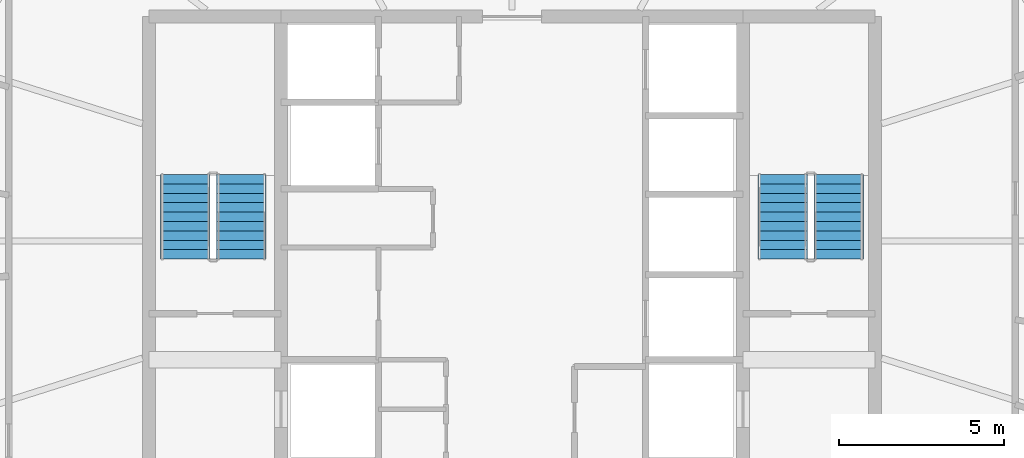
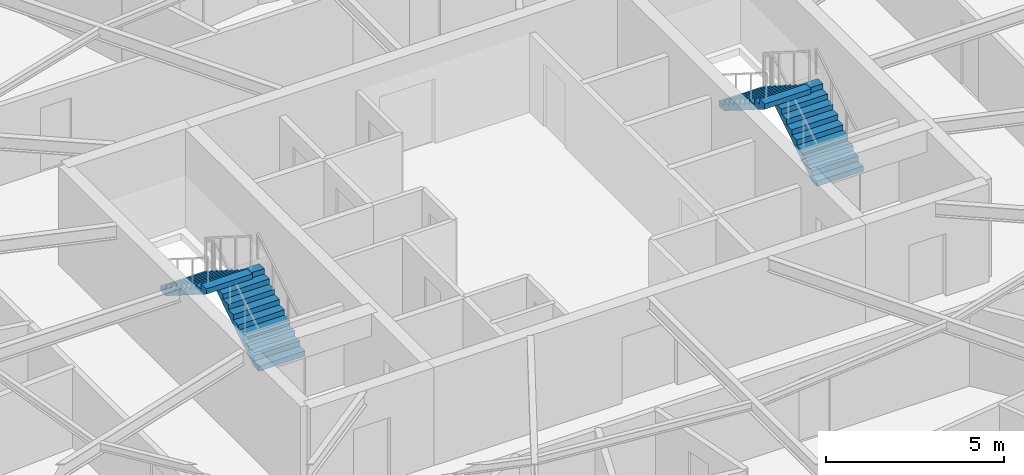
# One storey, part 20 of 23: 4 stair flights, 2 elements without a shape of their own.
"""IFC4 building model written with IfcOpenShell, lengths in metres."""

from ifc_helpers import new_model, si_unit, direction, frame, origin, place, context, subcontext, project, spatial, polyline, outline, extrude, material, type_object, element, aggregate, save


model = new_model("IFC4")

# Units and contexts
model_context = context("Model", 3, precision=1e-05, world=origin(), true_north=direction((0.0, 1.0)))
body_context = subcontext(model_context, "Body", "Model", "MODEL_VIEW")
ifc_project = project(units=[si_unit("LENGTHUNIT", "METRE"), si_unit("AREAUNIT", "SQUARE_METRE"), si_unit("VOLUMEUNIT", "CUBIC_METRE"), si_unit("PLANEANGLEUNIT", "RADIAN"), si_unit("MASSUNIT", "GRAM", prefix="KILO")], contexts=[model_context])

# Site, building, storey
site_placement = place(None, origin())
site = spatial("IfcSite", under=ifc_project, at=site_placement, CompositionType="ELEMENT")
building_placement = place(site_placement, origin())
building = spatial("IfcBuilding", under=site, at=building_placement, Name="Sarneth Arch Tower", CompositionType="ELEMENT")
storey_placement = place(building_placement, frame((0.0, 0.0, 220.800048828125)))
storey = spatial("IfcBuildingStorey", under=building, at=storey_placement, Name="L56", CompositionType="ELEMENT", Elevation=220.800048828125)

# Stair, stair flights
ifc_material_1 = material(Name="Concrete C50/60", Category="concrete")
stair_type = type_object("IfcStairType", Name="STAIR-CORE-RC", PredefinedType="HALF_TURN_STAIR", material=ifc_material_1)
stair_1_placement = place(storey_placement, origin())
stair_1 = element("IfcStair", 1, at=stair_1_placement, inside=storey, type_object=stair_type, Name="L56 Core Exit Stair 1", PredefinedType="HALF_TURN_STAIR")
ifc_material_2 = material(Name="Concrete C50/60", Category="concrete")
stair_flight_type = type_object("IfcStairFlightType", Name="FLIGHT-RC-1500", PredefinedType="STRAIGHT", material=ifc_material_2)
stair_flight_1_placement = place(storey_placement, frame((39.800048828125, 41.449951171875, 0.0), z_axis=(0.0, 0.0, 1.0), x_axis=(0.0, 1.0, 0.0)))
stair_flight_1 = element("IfcStairFlight", 2, at=stair_flight_1_placement, type_object=stair_flight_type, Name="ST-1 flight 1", NumberOfRisers=10, NumberOfTreads=9, PredefinedType="STRAIGHT", RiserHeight=0.18, TreadLength=0.285, context=body_context, shape_type="SweptSolid", body=[
    extrude(outline(polyline([(0.0, 0.0), (0.0, 0.179931640625), (0.284912109375, 0.179931640625), (0.284912109375, 0.360107421875), (0.570068359375, 0.360107421875), (0.570068359375, 0.5400390625), (0.85498046875, 0.5400390625), (0.85498046875, 0.719970703125), (1.139892578125, 0.719970703125), (1.139892578125, 0.89990234375), (1.425048828125, 0.89990234375), (1.425048828125, 1.080078125), (1.7099609375, 1.080078125), (1.7099609375, 1.260009765625), (1.9951171875, 1.260009765625), (1.9951171875, 1.43994140625), (2.280029296875, 1.43994140625), (2.280029296875, 1.6201171875), (2.56494140625, 1.6201171875), (2.56494140625, 1.800048828125), (2.56494140625, 1.442626953125), (0.28076171875, 0.0), (0.0, 0.0)])), frame((0.0, 0.75, 0.0), z_axis=(0.0, -1.0, 0.0), x_axis=(1.0, 0.0, 0.0)), (0.0, 0.0, 1.0), 1.5),
])
stair_flight_2_placement = place(storey_placement, frame((38.10009765625, 44.014892578125, 1.800048828125), z_axis=(0.0, 0.0, 1.0), x_axis=(0.0, -1.0, 0.0)))
stair_flight_2 = element("IfcStairFlight", 3, at=stair_flight_2_placement, type_object=stair_flight_type, Name="ST-1 flight 2", NumberOfRisers=10, NumberOfTreads=9, PredefinedType="STRAIGHT", RiserHeight=0.18, TreadLength=0.285, context=body_context, shape_type="SweptSolid", body=[
    extrude(outline(polyline([(0.0, 0.0), (0.0, 0.179931640625), (0.284912109375, 0.179931640625), (0.284912109375, 0.360107421875), (0.570068359375, 0.360107421875), (0.570068359375, 0.5400390625), (0.85498046875, 0.5400390625), (0.85498046875, 0.719970703125), (1.139892578125, 0.719970703125), (1.139892578125, 0.89990234375), (1.425048828125, 0.89990234375), (1.425048828125, 1.080078125), (1.7099609375, 1.080078125), (1.7099609375, 1.260009765625), (1.9951171875, 1.260009765625), (1.9951171875, 1.43994140625), (2.280029296875, 1.43994140625), (2.280029296875, 1.6201171875), (2.56494140625, 1.6201171875), (2.56494140625, 1.800048828125), (2.56494140625, 1.442626953125), (0.28076171875, 0.0), (0.0, 0.0)])), frame((0.0, 0.75, 0.0), z_axis=(0.0, -1.0, 0.0), x_axis=(1.0, 0.0, 0.0)), (0.0, 0.0, 1.0), 1.5),
])
aggregate(stair_1, [stair_flight_1, stair_flight_2])

stair_2_placement = place(storey_placement, origin())
stair_2 = element("IfcStair", 4, at=stair_2_placement, inside=storey, type_object=stair_type, Name="L56 Core Exit Stair 2", PredefinedType="HALF_TURN_STAIR")
stair_flight_3_placement = place(storey_placement, frame((57.89990234375, 41.449951171875, 0.0), z_axis=(0.0, 0.0, 1.0), x_axis=(0.0, 1.0, 0.0)))
stair_flight_3 = element("IfcStairFlight", 5, at=stair_flight_3_placement, type_object=stair_flight_type, Name="ST-2 flight 1", NumberOfRisers=10, NumberOfTreads=9, PredefinedType="STRAIGHT", RiserHeight=0.18, TreadLength=0.285, context=body_context, shape_type="SweptSolid", body=[
    extrude(outline(polyline([(0.0, 0.0), (0.0, 0.179931640625), (0.284912109375, 0.179931640625), (0.284912109375, 0.360107421875), (0.570068359375, 0.360107421875), (0.570068359375, 0.5400390625), (0.85498046875, 0.5400390625), (0.85498046875, 0.719970703125), (1.139892578125, 0.719970703125), (1.139892578125, 0.89990234375), (1.425048828125, 0.89990234375), (1.425048828125, 1.080078125), (1.7099609375, 1.080078125), (1.7099609375, 1.260009765625), (1.9951171875, 1.260009765625), (1.9951171875, 1.43994140625), (2.280029296875, 1.43994140625), (2.280029296875, 1.6201171875), (2.56494140625, 1.6201171875), (2.56494140625, 1.800048828125), (2.56494140625, 1.442626953125), (0.28076171875, 0.0), (0.0, 0.0)])), frame((0.0, 0.75, 0.0), z_axis=(0.0, -1.0, 0.0), x_axis=(1.0, 0.0, 0.0)), (0.0, 0.0, 1.0), 1.5),
])
stair_flight_4_placement = place(storey_placement, frame((56.199951171875, 44.014892578125, 1.800048828125), z_axis=(0.0, 0.0, 1.0), x_axis=(0.0, -1.0, 0.0)))
stair_flight_4 = element("IfcStairFlight", 6, at=stair_flight_4_placement, type_object=stair_flight_type, Name="ST-2 flight 2", NumberOfRisers=10, NumberOfTreads=9, PredefinedType="STRAIGHT", RiserHeight=0.18, TreadLength=0.285, context=body_context, shape_type="SweptSolid", body=[
    extrude(outline(polyline([(0.0, 0.0), (0.0, 0.179931640625), (0.284912109375, 0.179931640625), (0.284912109375, 0.360107421875), (0.570068359375, 0.360107421875), (0.570068359375, 0.5400390625), (0.85498046875, 0.5400390625), (0.85498046875, 0.719970703125), (1.139892578125, 0.719970703125), (1.139892578125, 0.89990234375), (1.425048828125, 0.89990234375), (1.425048828125, 1.080078125), (1.7099609375, 1.080078125), (1.7099609375, 1.260009765625), (1.9951171875, 1.260009765625), (1.9951171875, 1.43994140625), (2.280029296875, 1.43994140625), (2.280029296875, 1.6201171875), (2.56494140625, 1.6201171875), (2.56494140625, 1.800048828125), (2.56494140625, 1.442626953125), (0.28076171875, 0.0), (0.0, 0.0)])), frame((0.0, 0.75, 0.0), z_axis=(0.0, -1.0, 0.0), x_axis=(1.0, 0.0, 0.0)), (0.0, 0.0, 1.0), 1.5),
])
aggregate(stair_2, [stair_flight_3, stair_flight_4])

save(model, "model.ifc")
